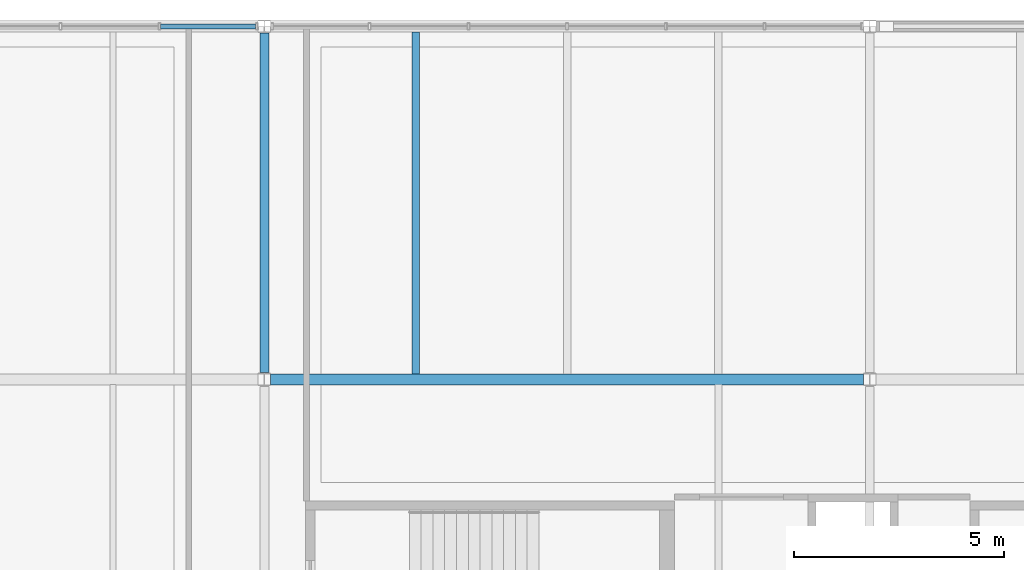
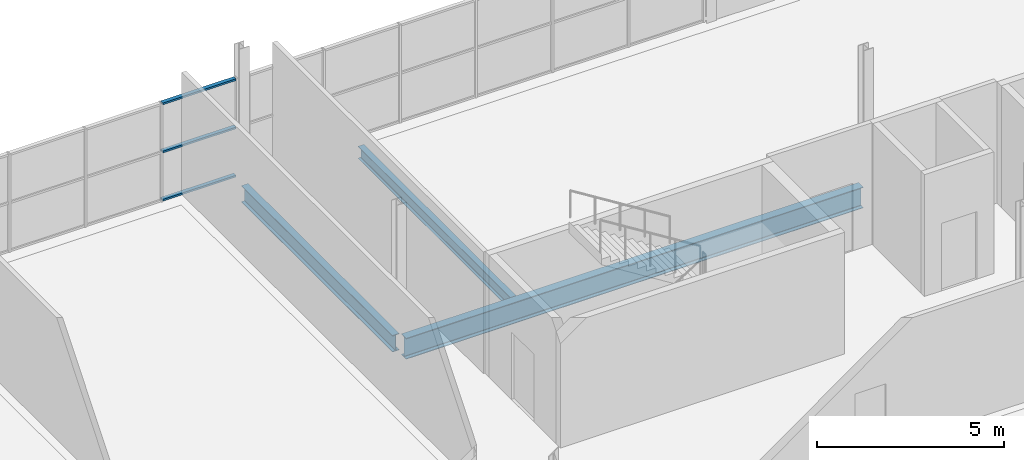
# One storey, part 45 of 68: 3 beams, 3 members, 1 element without a shape of its own.
"""IFC4 building model written with IfcOpenShell, lengths in metres."""

from ifc_helpers import new_model, si_unit, direction, frame, origin, origin_2d, place, context, subcontext, project, spatial, hollow_rectangle, i_section, extrude, material, material_profile, profile_set, type_object, element, aggregate, save


model = new_model("IFC4")

# Units and contexts
model_context = context("Model", 3, precision=1e-05, world=origin(), true_north=direction((0.0, 1.0)))
body_context = subcontext(model_context, "Body", "Model", "MODEL_VIEW")
ifc_project = project(units=[si_unit("LENGTHUNIT", "METRE"), si_unit("AREAUNIT", "SQUARE_METRE"), si_unit("VOLUMEUNIT", "CUBIC_METRE"), si_unit("PLANEANGLEUNIT", "RADIAN"), si_unit("MASSUNIT", "GRAM", prefix="KILO"), si_unit("THERMODYNAMICTEMPERATUREUNIT", "KELVIN")], contexts=[model_context])

# Site, building, storey
site_placement = place(None, origin())
site = spatial("IfcSite", under=ifc_project, at=site_placement, CompositionType="ELEMENT")
building_placement = place(site_placement, origin())
building = spatial("IfcBuilding", under=site, at=building_placement, Name="Nduvali Passage Aquatics Centre", CompositionType="ELEMENT")
storey_placement = place(building_placement, frame((0.0, 0.0, 13.199951171875)))
storey = spatial("IfcBuildingStorey", under=building, at=storey_placement, Name="L03", CompositionType="ELEMENT", Elevation=13.199951171875)

# Curtain wall, members
ifc_material_1 = material(Name="Aluminium EN AW-6063 T6", Category="aluminium")
curtain_wall_type = type_object("IfcCurtainWallType", Name="ENV-CW-WELL", PredefinedType="NOTDEFINED", material=ifc_material_1)
curtain_wall_placement = place(storey_placement, origin())
curtain_wall = element("IfcCurtainWall", 1, at=curtain_wall_placement, inside=storey, type_object=curtain_wall_type, Name="L03 North Avenue Teaching CW 110", PredefinedType="NOTDEFINED")
ifc_material_profile_1 = material_profile(ifc_material_1, hollow_rectangle(XDim=0.1201171875, YDim=0.06005859375, WallThickness=0.00390625, at=origin_2d()), Name="ALU TRANSOM 120x60x4")
ifc_profile_set_1 = profile_set([ifc_material_profile_1], Name="Aluminium EN AW-6063 T6")
member_type = type_object("IfcMemberType", Name="ENV-MEM-TRN60", PredefinedType="USERDEFINED", material=ifc_profile_set_1)
member_1_placement = place(storey_placement, frame((94.72998046875, 117.60009765625, 0.030029296875), z_axis=(1.0, 0.0, 0.0), x_axis=(0.0, 1.0, 0.0)))
member_1 = element("IfcMember", 2, at=member_1_placement, type_object=member_type, Name="North Avenue Teaching CW Transom B6-R0", ObjectType="TRANSOM", PredefinedType="USERDEFINED", context=body_context, shape_type="SweptSolid", body=[
    extrude(hollow_rectangle(XDim=0.1201171875, YDim=0.06005859375, WallThickness=0.00390625, at=origin_2d()), origin(), (0.0, 0.0, 1.0), 2.260009765625),
])
member_2_placement = place(storey_placement, frame((94.72998046875, 117.60009765625, 1.60205078125), z_axis=(1.0, 0.0, 0.0), x_axis=(0.0, 1.0, 0.0)))
member_2 = element("IfcMember", 3, at=member_2_placement, type_object=member_type, Name="North Avenue Teaching CW Transom B6-R1", ObjectType="TRANSOM", PredefinedType="USERDEFINED", context=body_context, shape_type="SweptSolid", body=[
    extrude(hollow_rectangle(XDim=0.1201171875, YDim=0.06005859375, WallThickness=0.00390625, at=origin_2d()), origin(), (0.0, 0.0, 1.0), 2.260009765625),
])
member_3_placement = place(storey_placement, frame((94.72998046875, 117.60009765625, 3.173828125), z_axis=(1.0, 0.0, 0.0), x_axis=(0.0, 1.0, 0.0)))
member_3 = element("IfcMember", 4, at=member_3_placement, type_object=member_type, Name="North Avenue Teaching CW Transom B6-R2", ObjectType="TRANSOM", PredefinedType="USERDEFINED", context=body_context, shape_type="SweptSolid", body=[
    extrude(hollow_rectangle(XDim=0.1201171875, YDim=0.06005859375, WallThickness=0.00390625, at=origin_2d()), origin(), (0.0, 0.0, 1.0), 2.260009765625),
])
aggregate(curtain_wall, [member_1, member_2, member_3])

# Beams
ifc_material_2 = material(Name="Steel S355", Category="steel")
ifc_material_profile_2 = material_profile(ifc_material_2, i_section(OverallWidth=0.210693359375, OverallDepth=0.53955078125, WebThickness=0.01171875, FlangeThickness=0.018798828125, FilletRadius=0.0126953125, at=origin_2d()), Name="UKB 533x210x109")
ifc_profile_set_2 = profile_set([ifc_material_profile_2], Name="Steel S355")
beam_type_1 = type_object("IfcBeamType", Name="STR-BM-UKB533", PredefinedType="BEAM", material=ifc_profile_set_2)
beam_1_placement = place(storey_placement, frame((97.199951171875, 109.3701171875, -0.523681640625), z_axis=(0.0, 1.0, 0.0), x_axis=(-1.0, 0.0, 0.0)))
element("IfcBeam", 5, at=beam_1_placement, inside=storey, type_object=beam_type_1, Name="L03 Primary Y-Girder B6-1269", PredefinedType="BEAM", context=body_context, shape_type="SweptSolid", body=[
    extrude(i_section(OverallWidth=0.210693359375, OverallDepth=0.53955078125, WebThickness=0.01171875, FlangeThickness=0.018798828125, FilletRadius=0.0126953125, at=origin_2d()), origin(), (0.0, 0.0, 1.0), 8.06982421875),
])
ifc_material_profile_3 = material_profile(ifc_material_2, i_section(OverallWidth=0.253662109375, OverallDepth=0.68359375, WebThickness=0.012451171875, FlangeThickness=0.01904296875, FilletRadius=0.01513671875, at=origin_2d()), Name="UKB 686x254x140")
ifc_profile_set_3 = profile_set([ifc_material_profile_3], Name="Steel S355")
beam_type_2 = type_object("IfcBeamType", Name="STR-BM-UKB686", PredefinedType="BEAM", material=ifc_profile_set_3)
beam_2_placement = place(storey_placement, frame((97.35009765625, 109.199951171875, -0.595703125), z_axis=(1.0, 0.0, 0.0), x_axis=(0.0, 1.0, 0.0)))
element("IfcBeam", 6, at=beam_2_placement, inside=storey, type_object=beam_type_2, Name="L03 Primary X-Girder B4-1231", PredefinedType="BEAM", context=body_context, shape_type="SweptSolid", body=[
    extrude(i_section(OverallWidth=0.253662109375, OverallDepth=0.68359375, WebThickness=0.012451171875, FlangeThickness=0.01904296875, FilletRadius=0.01513671875, at=origin_2d()), origin(), (0.0, 0.0, 1.0), 14.099853515625),
])
ifc_material_profile_4 = material_profile(ifc_material_2, i_section(OverallWidth=0.179931640625, OverallDepth=0.39990234375, WebThickness=0.008544921875, FlangeThickness=0.013427734375, FilletRadius=0.02099609375, at=origin_2d()), Name="IPE 400")
ifc_profile_set_4 = profile_set([ifc_material_profile_4], Name="Steel S355")
beam_type_3 = type_object("IfcBeamType", Name="STR-JST-IPE400", PredefinedType="JOIST", material=ifc_profile_set_4)
beam_3_placement = place(storey_placement, frame((100.800048828125, 109.326904296875, -0.453857421875), z_axis=(0.0, 1.0, 0.0), x_axis=(-1.0, 0.0, 0.0)))
element("IfcBeam", 7, at=beam_3_placement, inside=storey, type_object=beam_type_3, Name="L03 Secondary Joist J5-1315", PredefinedType="JOIST", context=body_context, shape_type="SweptSolid", body=[
    extrude(i_section(OverallWidth=0.179931640625, OverallDepth=0.39990234375, WebThickness=0.008544921875, FlangeThickness=0.013427734375, FilletRadius=0.02099609375, at=origin_2d()), origin(), (0.0, 0.0, 1.0), 8.139892578125),
])

save(model, "model.ifc")
